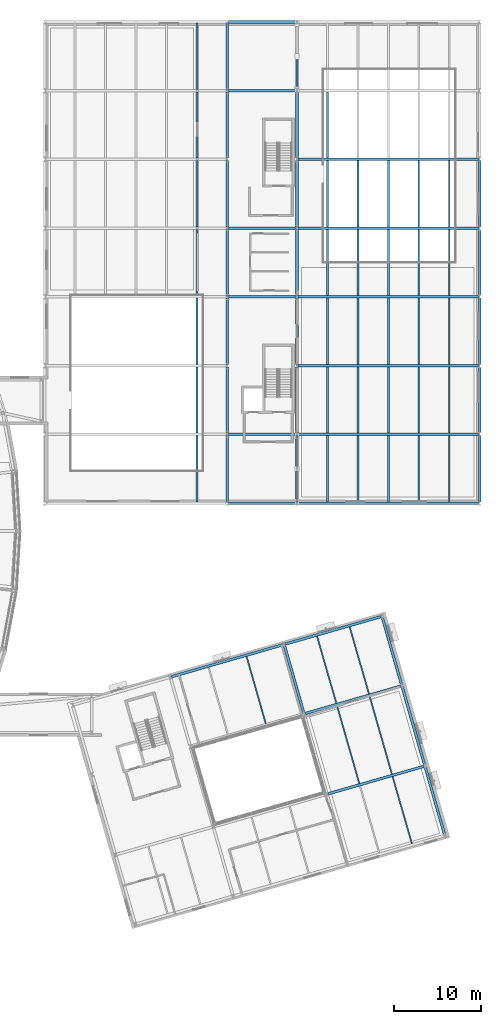
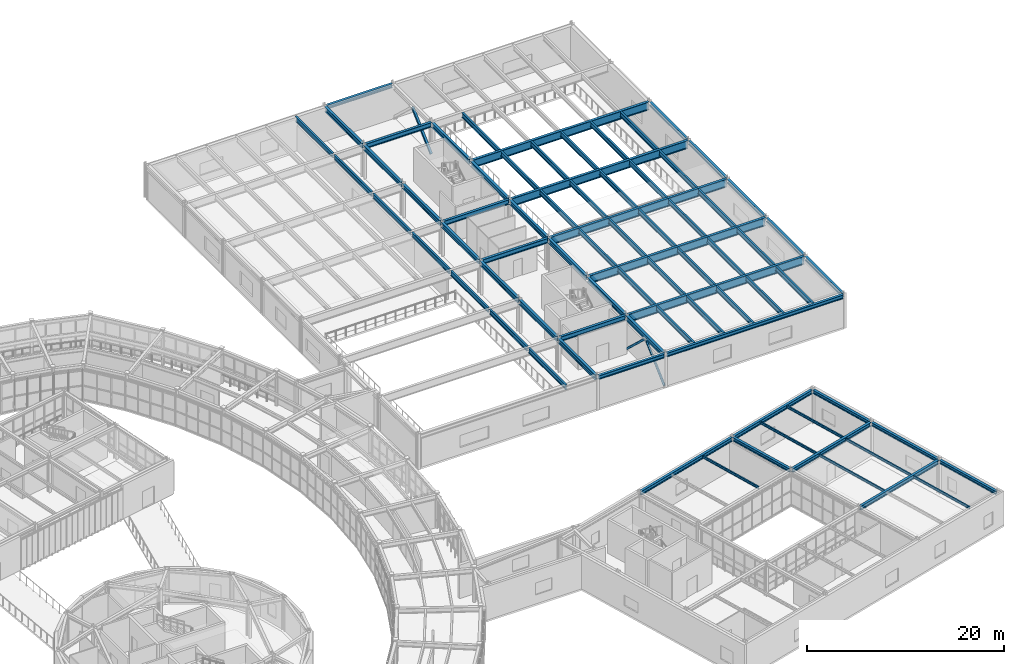
# One storey, part 54 of 103: 77 beams, 3 members.
"""IFC4 building model written with IfcOpenShell, lengths in metres."""

from ifc_helpers import new_model, si_unit, direction, frame, origin, origin_2d, place, context, subcontext, project, spatial, hollow_rectangle, hollow_circle, i_section, extrude, material, material_profile, profile_set, type_object, element, save


model = new_model("IFC4")

# Units and contexts
model_context = context("Model", 3, precision=1e-05, world=origin(), true_north=direction((0.0, 1.0)))
body_context = subcontext(model_context, "Body", "Model", "MODEL_VIEW")
ifc_project = project(units=[si_unit("LENGTHUNIT", "METRE"), si_unit("AREAUNIT", "SQUARE_METRE"), si_unit("VOLUMEUNIT", "CUBIC_METRE"), si_unit("PLANEANGLEUNIT", "RADIAN"), si_unit("MASSUNIT", "GRAM", prefix="KILO")], contexts=[model_context])

# Site, building, storey
site_placement = place(None, origin())
site = spatial("IfcSite", under=ifc_project, at=site_placement, CompositionType="ELEMENT")
building_placement = place(site_placement, origin())
building = spatial("IfcBuilding", under=site, at=building_placement, Name="Varnklinge Art Gallery", CompositionType="ELEMENT")
storey_placement = place(building_placement, frame((0.0, 0.0, 5.10009765625)))
storey = spatial("IfcBuildingStorey", under=building, at=storey_placement, Name="L01", CompositionType="ELEMENT", Elevation=5.10009765625)

# Beams
ifc_material_1 = material(Name="Steel S355", Category="steel")
ifc_material_profile_1 = material_profile(ifc_material_1, i_section(OverallWidth=0.300048828125, OverallDepth=1.0, WebThickness=0.01904296875, FlangeThickness=0.035888671875, FilletRadius=0.030029296875, at=origin_2d()), Name="HEB 1000")
ifc_profile_set_1 = profile_set([ifc_material_profile_1], Name="Steel S355")
beam_type_1 = type_object("IfcBeamType", Name="BM-01", PredefinedType="BEAM", material=ifc_profile_set_1)
for number, where, z_axis, x_axis, name in (
    (1, (143.5400390625, 66.10009765625, 3.669921875), (1.0, 0.0, 0.0), (0.0, 1.0, 0.0), "L01 BM-01 BM-V1-L02-X1-2"),
    (2, (143.5400390625, 74.0, 3.669921875), (1.0, 0.0, 0.0), (0.0, 1.0, 0.0), "L01 BM-01 BM-V1-L02-X2-2"),
    (3, (143.5400390625, 81.89990234375, 3.669921875), (1.0, 0.0, 0.0), (0.0, 1.0, 0.0), "L01 BM-01 BM-V1-L02-X3-2"),
    (4, (143.5400390625, 89.800048828125, 3.669921875), (1.0, 0.0, 0.0), (0.0, 1.0, 0.0), "L01 BM-01 BM-V1-L02-X4-2"),
    (5, (143.5400390625, 97.699951171875, 3.669921875), (1.0, 0.0, 0.0), (0.0, 1.0, 0.0), "L01 BM-01 BM-V1-L02-X5-2"),
):
    element("IfcBeam", number, at=place(storey_placement, frame(where, z_axis=z_axis, x_axis=x_axis)), inside=storey, type_object=beam_type_1, Name=name, PredefinedType="BEAM", context=body_context, shape_type="SweptSolid", body=[
        extrude(i_section(OverallWidth=0.300048828125, OverallDepth=1.0, WebThickness=0.01904296875, FlangeThickness=0.035888671875, FilletRadius=0.030029296875, at=origin_2d()), origin(), (0.0, 0.0, 1.0), 20.719970703125),
    ])
ifc_material_2 = material(Name="Steel S355", Category="steel")
ifc_material_profile_2 = material_profile(ifc_material_2, i_section(OverallWidth=0.300048828125, OverallDepth=0.60009765625, WebThickness=0.015380859375, FlangeThickness=0.030029296875, FilletRadius=0.027099609375, at=origin_2d()), Name="HEB 600")
ifc_profile_set_2 = profile_set([ifc_material_profile_2], Name="Steel S355")
beam_type_2 = type_object("IfcBeamType", Name="BM-05", PredefinedType="BEAM", material=ifc_profile_set_2)
beam_1_placement = place(storey_placement, frame((135.39990234375, 58.340087890625, 3.869873046875), z_axis=(0.0, 1.0, 0.0), x_axis=(-1.0, 0.0, 0.0)))
element("IfcBeam", 6, at=beam_1_placement, inside=storey, type_object=beam_type_2, Name="L01 BM-05 BM-V1-L02-Y1-0", PredefinedType="BEAM", context=body_context, shape_type="SweptSolid", body=[
    extrude(i_section(OverallWidth=0.300048828125, OverallDepth=0.60009765625, WebThickness=0.015380859375, FlangeThickness=0.030029296875, FilletRadius=0.027099609375, at=origin_2d()), origin(), (0.0, 0.0, 1.0), 7.619873046875),
])
for number, where, z_axis, x_axis, name in (
    (7, (135.39990234375, 66.239990234375, 3.869873046875), (0.0, 1.0, 0.0), (-1.0, 0.0, 0.0), "L01 BM-05 BM-V1-L02-Y1-1"),
    (8, (135.39990234375, 74.139892578125, 3.869873046875), (0.0, 1.0, 0.0), (-1.0, 0.0, 0.0), "L01 BM-05 BM-V1-L02-Y1-2"),
):
    element("IfcBeam", number, at=place(storey_placement, frame(where, z_axis=z_axis, x_axis=x_axis)), inside=storey, type_object=beam_type_2, Name=name, PredefinedType="BEAM", context=body_context, shape_type="SweptSolid", body=[
        extrude(i_section(OverallWidth=0.300048828125, OverallDepth=0.60009765625, WebThickness=0.015380859375, FlangeThickness=0.030029296875, FilletRadius=0.027099609375, at=origin_2d()), origin(), (0.0, 0.0, 1.0), 7.6201171875),
    ])
beam_2_placement = place(storey_placement, frame((135.39990234375, 82.0400390625, 3.869873046875), z_axis=(0.0, 1.0, 0.0), x_axis=(-1.0, 0.0, 0.0)))
element("IfcBeam", 9, at=beam_2_placement, inside=storey, type_object=beam_type_2, Name="L01 BM-05 BM-V1-L02-Y1-3", PredefinedType="BEAM", context=body_context, shape_type="SweptSolid", body=[
    extrude(i_section(OverallWidth=0.300048828125, OverallDepth=0.60009765625, WebThickness=0.015380859375, FlangeThickness=0.030029296875, FilletRadius=0.027099609375, at=origin_2d()), origin(), (0.0, 0.0, 1.0), 7.619873046875),
])
beam_3_placement = place(storey_placement, frame((135.39990234375, 89.93994140625, 3.869873046875), z_axis=(0.0, 1.0, 0.0), x_axis=(-1.0, 0.0, 0.0)))
element("IfcBeam", 10, at=beam_3_placement, inside=storey, type_object=beam_type_2, Name="L01 BM-05 BM-V1-L02-Y1-4", PredefinedType="BEAM", context=body_context, shape_type="SweptSolid", body=[
    extrude(i_section(OverallWidth=0.300048828125, OverallDepth=0.60009765625, WebThickness=0.015380859375, FlangeThickness=0.030029296875, FilletRadius=0.027099609375, at=origin_2d()), origin(), (0.0, 0.0, 1.0), 7.6201171875),
])
beam_4_placement = place(storey_placement, frame((135.39990234375, 97.840087890625, 3.869873046875), z_axis=(0.0, 1.0, 0.0), x_axis=(-1.0, 0.0, 0.0)))
element("IfcBeam", 11, at=beam_4_placement, inside=storey, type_object=beam_type_2, Name="L01 BM-05 BM-V1-L02-Y1-5", PredefinedType="BEAM", context=body_context, shape_type="SweptSolid", body=[
    extrude(i_section(OverallWidth=0.300048828125, OverallDepth=0.60009765625, WebThickness=0.015380859375, FlangeThickness=0.030029296875, FilletRadius=0.027099609375, at=origin_2d()), origin(), (0.0, 0.0, 1.0), 7.619873046875),
])
beam_5_placement = place(storey_placement, frame((135.39990234375, 105.739990234375, 3.869873046875), z_axis=(0.0, 1.0, 0.0), x_axis=(-1.0, 0.0, 0.0)))
element("IfcBeam", 12, at=beam_5_placement, inside=storey, type_object=beam_type_2, Name="L01 BM-05 BM-V1-L02-Y1-6", PredefinedType="BEAM", context=body_context, shape_type="SweptSolid", body=[
    extrude(i_section(OverallWidth=0.300048828125, OverallDepth=0.60009765625, WebThickness=0.015380859375, FlangeThickness=0.030029296875, FilletRadius=0.027099609375, at=origin_2d()), origin(), (0.0, 0.0, 1.0), 7.6201171875),
])
beam_6_placement = place(storey_placement, frame((143.39990234375, 58.340087890625, 3.869873046875), z_axis=(0.0, 1.0, 0.0), x_axis=(-1.0, 0.0, 0.0)))
element("IfcBeam", 13, at=beam_6_placement, inside=storey, type_object=beam_type_2, Name="L01 BM-05 BM-V1-L02-Y2-0", PredefinedType="BEAM", context=body_context, shape_type="SweptSolid", body=[
    extrude(i_section(OverallWidth=0.300048828125, OverallDepth=0.60009765625, WebThickness=0.015380859375, FlangeThickness=0.030029296875, FilletRadius=0.027099609375, at=origin_2d()), origin(), (0.0, 0.0, 1.0), 7.619873046875),
])
for number, where, z_axis, x_axis, name in (
    (14, (143.39990234375, 66.239990234375, 3.869873046875), (0.0, 1.0, 0.0), (-1.0, 0.0, 0.0), "L01 BM-05 BM-V1-L02-Y2-1"),
    (15, (143.39990234375, 74.139892578125, 3.869873046875), (0.0, 1.0, 0.0), (-1.0, 0.0, 0.0), "L01 BM-05 BM-V1-L02-Y2-2"),
):
    element("IfcBeam", number, at=place(storey_placement, frame(where, z_axis=z_axis, x_axis=x_axis)), inside=storey, type_object=beam_type_2, Name=name, PredefinedType="BEAM", context=body_context, shape_type="SweptSolid", body=[
        extrude(i_section(OverallWidth=0.300048828125, OverallDepth=0.60009765625, WebThickness=0.015380859375, FlangeThickness=0.030029296875, FilletRadius=0.027099609375, at=origin_2d()), origin(), (0.0, 0.0, 1.0), 7.6201171875),
    ])
beam_7_placement = place(storey_placement, frame((143.39990234375, 82.0400390625, 3.869873046875), z_axis=(0.0, 1.0, 0.0), x_axis=(-1.0, 0.0, 0.0)))
element("IfcBeam", 16, at=beam_7_placement, inside=storey, type_object=beam_type_2, Name="L01 BM-05 BM-V1-L02-Y2-3", PredefinedType="BEAM", context=body_context, shape_type="SweptSolid", body=[
    extrude(i_section(OverallWidth=0.300048828125, OverallDepth=0.60009765625, WebThickness=0.015380859375, FlangeThickness=0.030029296875, FilletRadius=0.027099609375, at=origin_2d()), origin(), (0.0, 0.0, 1.0), 7.619873046875),
])
beam_8_placement = place(storey_placement, frame((143.39990234375, 89.93994140625, 3.869873046875), z_axis=(0.0, 1.0, 0.0), x_axis=(-1.0, 0.0, 0.0)))
element("IfcBeam", 17, at=beam_8_placement, inside=storey, type_object=beam_type_2, Name="L01 BM-05 BM-V1-L02-Y2-4", PredefinedType="BEAM", context=body_context, shape_type="SweptSolid", body=[
    extrude(i_section(OverallWidth=0.300048828125, OverallDepth=0.60009765625, WebThickness=0.015380859375, FlangeThickness=0.030029296875, FilletRadius=0.027099609375, at=origin_2d()), origin(), (0.0, 0.0, 1.0), 7.6201171875),
])
beam_9_placement = place(storey_placement, frame((143.39990234375, 97.840087890625, 3.869873046875), z_axis=(0.0, 1.0, 0.0), x_axis=(-1.0, 0.0, 0.0)))
element("IfcBeam", 18, at=beam_9_placement, inside=storey, type_object=beam_type_2, Name="L01 BM-05 BM-V1-L02-Y2-5", PredefinedType="BEAM", context=body_context, shape_type="SweptSolid", body=[
    extrude(i_section(OverallWidth=0.300048828125, OverallDepth=0.60009765625, WebThickness=0.015380859375, FlangeThickness=0.030029296875, FilletRadius=0.027099609375, at=origin_2d()), origin(), (0.0, 0.0, 1.0), 7.619873046875),
])
ifc_material_3 = material(Name="Steel S355", Category="steel")
ifc_material_profile_3 = material_profile(ifc_material_3, i_section(OverallWidth=0.300048828125, OverallDepth=0.590087890625, WebThickness=0.012939453125, FlangeThickness=0.02490234375, FilletRadius=0.027099609375, at=origin_2d()), Name="HEA 600")
ifc_profile_set_3 = profile_set([ifc_material_profile_3], Name="Steel S355")
beam_type_3 = type_object("IfcBeamType", Name="BM-06", PredefinedType="BEAM", material=ifc_profile_set_3)
for number, where, z_axis, x_axis, name in (
    (19, (135.5400390625, 66.10009765625, 3.875), (1.0, 0.0, 0.0), (0.0, 1.0, 0.0), "L01 BM-06 BM-V1-L02-X1-1"),
    (20, (135.5400390625, 81.89990234375, 3.875), (1.0, 0.0, 0.0), (0.0, 1.0, 0.0), "L01 BM-06 BM-V1-L02-X3-1"),
    (21, (135.5400390625, 89.800048828125, 3.875), (1.0, 0.0, 0.0), (0.0, 1.0, 0.0), "L01 BM-06 BM-V1-L02-X4-1"),
    (22, (135.5400390625, 105.60009765625, 3.875), (1.0, 0.0, 0.0), (0.0, 1.0, 0.0), "L01 BM-06 BM-V1-L02-X6-1"),
):
    element("IfcBeam", number, at=place(storey_placement, frame(where, z_axis=z_axis, x_axis=x_axis)), inside=storey, type_object=beam_type_3, Name=name, PredefinedType="BEAM", context=body_context, shape_type="SweptSolid", body=[
        extrude(i_section(OverallWidth=0.300048828125, OverallDepth=0.590087890625, WebThickness=0.012939453125, FlangeThickness=0.02490234375, FilletRadius=0.027099609375, at=origin_2d()), origin(), (0.0, 0.0, 1.0), 7.719970703125),
    ])
ifc_material_4 = material(Name="Steel S355", Category="steel")
ifc_material_profile_4 = material_profile(ifc_material_4, i_section(OverallWidth=0.300048828125, OverallDepth=0.489990234375, WebThickness=0.011962890625, FlangeThickness=0.02294921875, FilletRadius=0.027099609375, at=origin_2d()), Name="HEA 500")
ifc_profile_set_4 = profile_set([ifc_material_profile_4], Name="Steel S355")
beam_type_4 = type_object("IfcBeamType", Name="BM-07", PredefinedType="BEAM", material=ifc_profile_set_4)
for number, where, z_axis, x_axis, name in (
    (23, (146.994140625, 24.798828125, 3.954833984375), (0.961262939416, 0.275633019257, 0.0), (-0.275633019257, 0.961262939416, 0.0), "L01 BM-07 BM-V6-L02-U1-2"),
    (24, (144.34814453125, 34.027099609375, 3.954833984375), (0.961262939416, 0.275633019257, 0.0), (-0.275633019257, 0.961262939416, 0.0), "L01 BM-07 BM-V6-L02-U2-2"),
):
    element("IfcBeam", number, at=place(storey_placement, frame(where, z_axis=z_axis, x_axis=x_axis)), inside=storey, type_object=beam_type_4, Name=name, PredefinedType="BEAM", context=body_context, shape_type="SweptSolid", body=[
        extrude(i_section(OverallWidth=0.300048828125, OverallDepth=0.489990234375, WebThickness=0.011962890625, FlangeThickness=0.02294921875, FilletRadius=0.027099609375, at=origin_2d()), origin(), (0.0, 0.0, 1.0), 11.419921875),
    ])
beam_10_placement = place(storey_placement, frame((128.9873046875, 38.2568359375, 3.954833984375), z_axis=(0.961262060229, 0.275636085381, 0.0), x_axis=(-0.275636085381, 0.961262060229, 0.0)))
element("IfcBeam", 25, at=beam_10_placement, inside=storey, type_object=beam_type_4, Name="L01 BM-07 BM-V6-L02-U3-1", PredefinedType="BEAM", context=body_context, shape_type="SweptSolid", body=[
    extrude(i_section(OverallWidth=0.300048828125, OverallDepth=0.489990234375, WebThickness=0.011962890625, FlangeThickness=0.02294921875, FilletRadius=0.027099609375, at=origin_2d()), origin(), (0.0, 0.0, 1.0), 13.319580078125),
])
beam_11_placement = place(storey_placement, frame((142.060302734375, 42.005615234375, 3.954833984375), z_axis=(0.961262939416, 0.275633019257, 0.0), x_axis=(-0.275633019257, 0.961262939416, 0.0)))
element("IfcBeam", 26, at=beam_11_placement, inside=storey, type_object=beam_type_4, Name="L01 BM-07 BM-V6-L02-U3-2", PredefinedType="BEAM", context=body_context, shape_type="SweptSolid", body=[
    extrude(i_section(OverallWidth=0.300048828125, OverallDepth=0.489990234375, WebThickness=0.011962890625, FlangeThickness=0.02294921875, FilletRadius=0.027099609375, at=origin_2d()), origin(), (0.0, 0.0, 1.0), 11.419921875),
])
ifc_material_5 = material(Name="Steel S355", Category="steel")
ifc_material_profile_5 = material_profile(ifc_material_5, i_section(OverallWidth=0.300048828125, OverallDepth=0.43994140625, WebThickness=0.011474609375, FlangeThickness=0.02099609375, FilletRadius=0.027099609375, at=origin_2d()), Name="HEA 450")
ifc_profile_set_5 = profile_set([ifc_material_profile_5], Name="Steel S355")
beam_type_5 = type_object("IfcBeamType", Name="BM-08", PredefinedType="BEAM", material=ifc_profile_set_5)
beam_12_placement = place(storey_placement, frame((144.1748046875, 34.123046875, 3.97998046875), z_axis=(-0.275621630307, 0.961266205016, 0.0), x_axis=(-0.961266205016, -0.275621630307, 0.0)))
element("IfcBeam", 27, at=beam_12_placement, inside=storey, type_object=beam_type_5, Name="L01 BM-08 BM-V6-L02-V2-2", PredefinedType="BEAM", context=body_context, shape_type="SweptSolid", body=[
    extrude(i_section(OverallWidth=0.300048828125, OverallDepth=0.43994140625, WebThickness=0.011474609375, FlangeThickness=0.02099609375, FilletRadius=0.027099609375, at=origin_2d()), origin(), (0.0, 0.0, 1.0), 8.019775390625),
])
beam_13_placement = place(storey_placement, frame((160.355712890625, 20.141357421875, 3.97998046875), z_axis=(-0.275649759333, 0.961258139201, 0.0), x_axis=(-0.961258139201, -0.275649759333, 0.0)))
element("IfcBeam", 28, at=beam_13_placement, inside=storey, type_object=beam_type_5, Name="L01 BM-08 BM-V6-L02-V3-0", PredefinedType="BEAM", context=body_context, shape_type="SweptSolid", body=[
    extrude(i_section(OverallWidth=0.300048828125, OverallDepth=0.43994140625, WebThickness=0.011474609375, FlangeThickness=0.02099609375, FilletRadius=0.027099609375, at=origin_2d()), origin(), (0.0, 0.0, 1.0), 8.02001953125),
])
beam_14_placement = place(storey_placement, frame((158.06787109375, 28.119873046875, 3.97998046875), z_axis=(-0.275658609922, 0.961255601168, 0.0), x_axis=(-0.961255601168, -0.275658609922, 0.0)))
element("IfcBeam", 29, at=beam_14_placement, inside=storey, type_object=beam_type_5, Name="L01 BM-08 BM-V6-L02-V3-1", PredefinedType="BEAM", context=body_context, shape_type="SweptSolid", body=[
    extrude(i_section(OverallWidth=0.300048828125, OverallDepth=0.43994140625, WebThickness=0.011474609375, FlangeThickness=0.02099609375, FilletRadius=0.027099609375, at=origin_2d()), origin(), (0.0, 0.0, 1.0), 9.31982421875),
])
beam_15_placement = place(storey_placement, frame((155.421630859375, 37.347900390625, 3.97998046875), z_axis=(-0.275621630307, 0.961266205016, 0.0), x_axis=(-0.961266205016, -0.275621630307, 0.0)))
element("IfcBeam", 30, at=beam_15_placement, inside=storey, type_object=beam_type_5, Name="L01 BM-08 BM-V6-L02-V3-2", PredefinedType="BEAM", context=body_context, shape_type="SweptSolid", body=[
    extrude(i_section(OverallWidth=0.300048828125, OverallDepth=0.43994140625, WebThickness=0.011474609375, FlangeThickness=0.02099609375, FilletRadius=0.027099609375, at=origin_2d()), origin(), (0.0, 0.0, 1.0), 8.019775390625),
])

# Members
ifc_material_6 = material(Name="Steel S355", Category="steel")
ifc_material_profile_6 = material_profile(ifc_material_6, hollow_circle(Radius=0.136474609375, WallThickness=0.012451171875, at=origin_2d()), Name="CHS 273x12.5")
ifc_profile_set_6 = profile_set([ifc_material_profile_6], Name="Steel S355")
member_type_1 = type_object("IfcMemberType", Name="BRC-01", PredefinedType="BRACE", material=ifc_profile_set_6)
member_1_placement = place(storey_placement, frame((143.39990234375, 58.360107421875, 0.02001953125), z_axis=(0.0, 0.729837707187, 0.683620451105), x_axis=(-1.0, 0.0, 0.0)))
element("IfcMember", 31, at=member_1_placement, inside=storey, type_object=member_type_1, Name="L01 Braced Frame V1E-B0 Diagonal A", PredefinedType="BRACE", context=body_context, shape_type="SweptSolid", body=[
    extrude(hollow_circle(Radius=0.136474609375, WallThickness=0.012451171875, at=origin_2d()), origin(), (0.0, 0.0, 1.0), 5.192626953125),
])
member_2_placement = place(storey_placement, frame((143.39990234375, 65.93994140625, 0.02001953125), z_axis=(0.0, -0.72985967862, 0.683596993502), x_axis=(1.0, 0.0, 0.0)))
element("IfcMember", 32, at=member_2_placement, inside=storey, type_object=member_type_1, Name="L01 Braced Frame V1E-B0 Diagonal B", PredefinedType="BRACE", context=body_context, shape_type="SweptSolid", body=[
    extrude(hollow_circle(Radius=0.136474609375, WallThickness=0.012451171875, at=origin_2d()), origin(), (0.0, 0.0, 1.0), 5.19287109375),
])
ifc_material_7 = material(Name="Steel S355", Category="steel")
ifc_material_profile_7 = material_profile(ifc_material_7, hollow_rectangle(XDim=0.25, YDim=0.25, WallThickness=0.012451171875, at=origin_2d()), Name="SHS 250x250x12.5")
ifc_profile_set_7 = profile_set([ifc_material_profile_7], Name="Steel S355")
member_type_2 = type_object("IfcMemberType", Name="BRC-04", PredefinedType="BRACE", material=ifc_profile_set_7)
member_3_placement = place(storey_placement, frame((143.39990234375, 105.760009765625, 0.02001953125), z_axis=(0.0, 0.72985967862, 0.683596993502), x_axis=(-1.0, 0.0, 0.0)))
element("IfcMember", 33, at=member_3_placement, inside=storey, type_object=member_type_2, Name="L01 Braced Frame V1E-B6 Diagonal A", PredefinedType="BRACE", context=body_context, shape_type="SweptSolid", body=[
    extrude(hollow_rectangle(XDim=0.25, YDim=0.25, WallThickness=0.012451171875, at=origin_2d()), origin(), (0.0, 0.0, 1.0), 5.19287109375),
])

# Beams
ifc_material_8 = material(Name="Steel S355", Category="steel")
ifc_material_profile_8 = material_profile(ifc_material_8, i_section(OverallWidth=0.219970703125, OverallDepth=0.60009765625, WebThickness=0.011962890625, FlangeThickness=0.01904296875, FilletRadius=0.02392578125, at=origin_2d()), Name="IPE 600")
ifc_profile_set_8 = profile_set([ifc_material_profile_8], Name="Steel S355")
beam_type_6 = type_object("IfcBeamType", Name="JST-01", PredefinedType="JOIST", material=ifc_profile_set_8)
for number, where, z_axis, x_axis, name in (
    (34, (131.89990234375, 58.340087890625, 3.869873046875), (0.0, 1.0, 0.0), (-1.0, 0.0, 0.0), "L01 JST-01 JST-V1-L02-0-0-5"),
    (35, (146.89990234375, 58.340087890625, 3.869873046875), (0.0, 1.0, 0.0), (-1.0, 0.0, 0.0), "L01 JST-01 JST-V1-L02-0-1-1"),
    (36, (150.39990234375, 58.340087890625, 3.869873046875), (0.0, 1.0, 0.0), (-1.0, 0.0, 0.0), "L01 JST-01 JST-V1-L02-0-1-2"),
    (37, (153.89990234375, 58.340087890625, 3.869873046875), (0.0, 1.0, 0.0), (-1.0, 0.0, 0.0), "L01 JST-01 JST-V1-L02-0-1-3"),
    (38, (157.39990234375, 58.340087890625, 3.869873046875), (0.0, 1.0, 0.0), (-1.0, 0.0, 0.0), "L01 JST-01 JST-V1-L02-0-1-4"),
    (39, (160.89990234375, 58.340087890625, 3.869873046875), (0.0, 1.0, 0.0), (-1.0, 0.0, 0.0), "L01 JST-01 JST-V1-L02-0-1-5"),
):
    element("IfcBeam", number, at=place(storey_placement, frame(where, z_axis=z_axis, x_axis=x_axis)), inside=storey, type_object=beam_type_6, Name=name, PredefinedType="JOIST", context=body_context, shape_type="SweptSolid", body=[
        extrude(i_section(OverallWidth=0.219970703125, OverallDepth=0.60009765625, WebThickness=0.011962890625, FlangeThickness=0.01904296875, FilletRadius=0.02392578125, at=origin_2d()), origin(), (0.0, 0.0, 1.0), 7.619873046875),
    ])
for number, where, z_axis, x_axis, name in (
    (40, (131.89990234375, 66.239990234375, 3.869873046875), (0.0, 1.0, 0.0), (-1.0, 0.0, 0.0), "L01 JST-01 JST-V1-L02-1-0-5"),
    (41, (146.89990234375, 66.239990234375, 3.869873046875), (0.0, 1.0, 0.0), (-1.0, 0.0, 0.0), "L01 JST-01 JST-V1-L02-1-1-1"),
    (42, (150.39990234375, 66.239990234375, 3.869873046875), (0.0, 1.0, 0.0), (-1.0, 0.0, 0.0), "L01 JST-01 JST-V1-L02-1-1-2"),
    (43, (153.89990234375, 66.239990234375, 3.869873046875), (0.0, 1.0, 0.0), (-1.0, 0.0, 0.0), "L01 JST-01 JST-V1-L02-1-1-3"),
    (44, (157.39990234375, 66.239990234375, 3.869873046875), (0.0, 1.0, 0.0), (-1.0, 0.0, 0.0), "L01 JST-01 JST-V1-L02-1-1-4"),
    (45, (160.89990234375, 66.239990234375, 3.869873046875), (0.0, 1.0, 0.0), (-1.0, 0.0, 0.0), "L01 JST-01 JST-V1-L02-1-1-5"),
    (46, (131.89990234375, 74.139892578125, 3.869873046875), (0.0, 1.0, 0.0), (-1.0, 0.0, 0.0), "L01 JST-01 JST-V1-L02-2-0-5"),
    (47, (146.89990234375, 74.139892578125, 3.869873046875), (0.0, 1.0, 0.0), (-1.0, 0.0, 0.0), "L01 JST-01 JST-V1-L02-2-1-1"),
    (48, (150.39990234375, 74.139892578125, 3.869873046875), (0.0, 1.0, 0.0), (-1.0, 0.0, 0.0), "L01 JST-01 JST-V1-L02-2-1-2"),
    (49, (153.89990234375, 74.139892578125, 3.869873046875), (0.0, 1.0, 0.0), (-1.0, 0.0, 0.0), "L01 JST-01 JST-V1-L02-2-1-3"),
    (50, (157.39990234375, 74.139892578125, 3.869873046875), (0.0, 1.0, 0.0), (-1.0, 0.0, 0.0), "L01 JST-01 JST-V1-L02-2-1-4"),
    (51, (160.89990234375, 74.139892578125, 3.869873046875), (0.0, 1.0, 0.0), (-1.0, 0.0, 0.0), "L01 JST-01 JST-V1-L02-2-1-5"),
):
    element("IfcBeam", number, at=place(storey_placement, frame(where, z_axis=z_axis, x_axis=x_axis)), inside=storey, type_object=beam_type_6, Name=name, PredefinedType="JOIST", context=body_context, shape_type="SweptSolid", body=[
        extrude(i_section(OverallWidth=0.219970703125, OverallDepth=0.60009765625, WebThickness=0.011962890625, FlangeThickness=0.01904296875, FilletRadius=0.02392578125, at=origin_2d()), origin(), (0.0, 0.0, 1.0), 7.6201171875),
    ])
for number, where, z_axis, x_axis, name in (
    (52, (131.89990234375, 82.0400390625, 3.869873046875), (0.0, 1.0, 0.0), (-1.0, 0.0, 0.0), "L01 JST-01 JST-V1-L02-3-0-5"),
    (53, (146.89990234375, 82.0400390625, 3.869873046875), (0.0, 1.0, 0.0), (-1.0, 0.0, 0.0), "L01 JST-01 JST-V1-L02-3-1-1"),
    (54, (150.39990234375, 82.0400390625, 3.869873046875), (0.0, 1.0, 0.0), (-1.0, 0.0, 0.0), "L01 JST-01 JST-V1-L02-3-1-2"),
    (55, (153.89990234375, 82.0400390625, 3.869873046875), (0.0, 1.0, 0.0), (-1.0, 0.0, 0.0), "L01 JST-01 JST-V1-L02-3-1-3"),
    (56, (157.39990234375, 82.0400390625, 3.869873046875), (0.0, 1.0, 0.0), (-1.0, 0.0, 0.0), "L01 JST-01 JST-V1-L02-3-1-4"),
    (57, (160.89990234375, 82.0400390625, 3.869873046875), (0.0, 1.0, 0.0), (-1.0, 0.0, 0.0), "L01 JST-01 JST-V1-L02-3-1-5"),
):
    element("IfcBeam", number, at=place(storey_placement, frame(where, z_axis=z_axis, x_axis=x_axis)), inside=storey, type_object=beam_type_6, Name=name, PredefinedType="JOIST", context=body_context, shape_type="SweptSolid", body=[
        extrude(i_section(OverallWidth=0.219970703125, OverallDepth=0.60009765625, WebThickness=0.011962890625, FlangeThickness=0.01904296875, FilletRadius=0.02392578125, at=origin_2d()), origin(), (0.0, 0.0, 1.0), 7.619873046875),
    ])
for number, where, z_axis, x_axis, name in (
    (58, (131.89990234375, 89.93994140625, 3.869873046875), (0.0, 1.0, 0.0), (-1.0, 0.0, 0.0), "L01 JST-01 JST-V1-L02-4-0-5"),
    (59, (146.89990234375, 89.93994140625, 3.869873046875), (0.0, 1.0, 0.0), (-1.0, 0.0, 0.0), "L01 JST-01 JST-V1-L02-4-1-1"),
    (60, (150.39990234375, 89.93994140625, 3.869873046875), (0.0, 1.0, 0.0), (-1.0, 0.0, 0.0), "L01 JST-01 JST-V1-L02-4-1-2"),
    (61, (153.89990234375, 89.93994140625, 3.869873046875), (0.0, 1.0, 0.0), (-1.0, 0.0, 0.0), "L01 JST-01 JST-V1-L02-4-1-3"),
    (62, (157.39990234375, 89.93994140625, 3.869873046875), (0.0, 1.0, 0.0), (-1.0, 0.0, 0.0), "L01 JST-01 JST-V1-L02-4-1-4"),
    (63, (160.89990234375, 89.93994140625, 3.869873046875), (0.0, 1.0, 0.0), (-1.0, 0.0, 0.0), "L01 JST-01 JST-V1-L02-4-1-5"),
):
    element("IfcBeam", number, at=place(storey_placement, frame(where, z_axis=z_axis, x_axis=x_axis)), inside=storey, type_object=beam_type_6, Name=name, PredefinedType="JOIST", context=body_context, shape_type="SweptSolid", body=[
        extrude(i_section(OverallWidth=0.219970703125, OverallDepth=0.60009765625, WebThickness=0.011962890625, FlangeThickness=0.01904296875, FilletRadius=0.02392578125, at=origin_2d()), origin(), (0.0, 0.0, 1.0), 7.6201171875),
    ])
for number, where, z_axis, x_axis, name in (
    (64, (131.89990234375, 97.840087890625, 3.869873046875), (0.0, 1.0, 0.0), (-1.0, 0.0, 0.0), "L01 JST-01 JST-V1-L02-5-0-5"),
    (65, (146.89990234375, 97.840087890625, 3.869873046875), (0.0, 1.0, 0.0), (-1.0, 0.0, 0.0), "L01 JST-01 JST-V1-L02-5-1-1"),
):
    element("IfcBeam", number, at=place(storey_placement, frame(where, z_axis=z_axis, x_axis=x_axis)), inside=storey, type_object=beam_type_6, Name=name, PredefinedType="JOIST", context=body_context, shape_type="SweptSolid", body=[
        extrude(i_section(OverallWidth=0.219970703125, OverallDepth=0.60009765625, WebThickness=0.011962890625, FlangeThickness=0.01904296875, FilletRadius=0.02392578125, at=origin_2d()), origin(), (0.0, 0.0, 1.0), 7.619873046875),
    ])
beam_16_placement = place(storey_placement, frame((131.89990234375, 105.739990234375, 3.869873046875), z_axis=(0.0, 1.0, 0.0), x_axis=(-1.0, 0.0, 0.0)))
element("IfcBeam", 66, at=beam_16_placement, inside=storey, type_object=beam_type_6, Name="L01 JST-01 JST-V1-L02-6-0-5", PredefinedType="JOIST", context=body_context, shape_type="SweptSolid", body=[
    extrude(i_section(OverallWidth=0.219970703125, OverallDepth=0.60009765625, WebThickness=0.011962890625, FlangeThickness=0.01904296875, FilletRadius=0.02392578125, at=origin_2d()), origin(), (0.0, 0.0, 1.0), 7.6201171875),
])
ifc_material_9 = material(Name="Steel S355", Category="steel")
ifc_material_profile_9 = material_profile(ifc_material_9, i_section(OverallWidth=0.14990234375, OverallDepth=0.300048828125, WebThickness=0.007080078125, FlangeThickness=0.0107421875, FilletRadius=0.014892578125, at=origin_2d()), Name="IPE 300")
ifc_profile_set_9 = profile_set([ifc_material_profile_9], Name="Steel S355")
beam_type_7 = type_object("IfcBeamType", Name="JST-08", PredefinedType="JOIST", material=ifc_profile_set_9)
for number, where, z_axis, x_axis, name in (
    (67, (139.817138671875, 32.873291015625, 4.0498046875), (-0.275613565062, 0.961268517509, 0.0), (-0.961268517509, -0.275613565062, 0.0), "L01 JST-08 JST-V6-L02-1-2-2"),
    (68, (156.606689453125, 19.06640625, 4.0498046875), (-0.275649759333, 0.961258139201, 0.0), (-0.961258139201, -0.275649759333, 0.0), "L01 JST-08 JST-V6-L02-2-0-2"),
):
    element("IfcBeam", number, at=place(storey_placement, frame(where, z_axis=z_axis, x_axis=x_axis)), inside=storey, type_object=beam_type_7, Name=name, PredefinedType="JOIST", context=body_context, shape_type="SweptSolid", body=[
        extrude(i_section(OverallWidth=0.14990234375, OverallDepth=0.300048828125, WebThickness=0.007080078125, FlangeThickness=0.0107421875, FilletRadius=0.014892578125, at=origin_2d()), origin(), (0.0, 0.0, 1.0), 8.02001953125),
    ])
for number, where, z_axis, x_axis, name in (
    (69, (150.56982421875, 25.9697265625, 4.0498046875), (-0.27562746375, 0.961264532388, 0.0), (-0.961264532388, -0.27562746375, 0.0), "L01 JST-08 JST-V6-L02-2-1-1"),
    (70, (154.31884765625, 27.044921875, 4.0498046875), (-0.27562746375, 0.961264532388, 0.0), (-0.961264532388, -0.27562746375, 0.0), "L01 JST-08 JST-V6-L02-2-1-2"),
):
    element("IfcBeam", number, at=place(storey_placement, frame(where, z_axis=z_axis, x_axis=x_axis)), inside=storey, type_object=beam_type_7, Name=name, PredefinedType="JOIST", context=body_context, shape_type="SweptSolid", body=[
        extrude(i_section(OverallWidth=0.14990234375, OverallDepth=0.300048828125, WebThickness=0.007080078125, FlangeThickness=0.0107421875, FilletRadius=0.014892578125, at=origin_2d()), origin(), (0.0, 0.0, 1.0), 9.320068359375),
    ])
beam_17_placement = place(storey_placement, frame((147.923828125, 35.197998046875, 4.0498046875), z_axis=(-0.275649759333, 0.961258139201, 0.0), x_axis=(-0.961258139201, -0.275649759333, 0.0)))
element("IfcBeam", 71, at=beam_17_placement, inside=storey, type_object=beam_type_7, Name="L01 JST-08 JST-V6-L02-2-2-1", PredefinedType="JOIST", context=body_context, shape_type="SweptSolid", body=[
    extrude(i_section(OverallWidth=0.14990234375, OverallDepth=0.300048828125, WebThickness=0.007080078125, FlangeThickness=0.0107421875, FilletRadius=0.014892578125, at=origin_2d()), origin(), (0.0, 0.0, 1.0), 8.02001953125),
])
beam_18_placement = place(storey_placement, frame((151.6728515625, 36.27294921875, 4.0498046875), z_axis=(-0.2756416934, 0.961260452146, 0.0), x_axis=(-0.961260452146, -0.2756416934, 0.0)))
element("IfcBeam", 72, at=beam_18_placement, inside=storey, type_object=beam_type_7, Name="L01 JST-08 JST-V6-L02-2-2-2", PredefinedType="JOIST", context=body_context, shape_type="SweptSolid", body=[
    extrude(i_section(OverallWidth=0.14990234375, OverallDepth=0.300048828125, WebThickness=0.007080078125, FlangeThickness=0.0107421875, FilletRadius=0.014892578125, at=origin_2d()), origin(), (0.0, 0.0, 1.0), 8.020263671875),
])
ifc_material_10 = material(Name="Steel S355", Category="steel")
ifc_material_profile_10 = material_profile(ifc_material_10, i_section(OverallWidth=0.300048828125, OverallDepth=0.489990234375, WebThickness=0.011962890625, FlangeThickness=0.02294921875, FilletRadius=0.027099609375, at=origin_2d()), Name="HEA 500")
ifc_profile_set_10 = profile_set([ifc_material_profile_10], Name="Steel S355")
beam_type_8 = type_object("IfcBeamType", Name="SPB-01", PredefinedType="SPANDREL", material=ifc_profile_set_10)
beam_19_placement = place(storey_placement, frame((135.5400390625, 58.199951171875, 3.9248046875), z_axis=(1.0, 0.0, 0.0), x_axis=(0.0, 1.0, 0.0)))
element("IfcBeam", 73, at=beam_19_placement, inside=storey, type_object=beam_type_8, Name="L01 SPB-01 BM-V1-L02-X0-1", PredefinedType="SPANDREL", context=body_context, shape_type="SweptSolid", body=[
    extrude(i_section(OverallWidth=0.300048828125, OverallDepth=0.489990234375, WebThickness=0.011962890625, FlangeThickness=0.02294921875, FilletRadius=0.027099609375, at=origin_2d()), origin(), (0.0, 0.0, 1.0), 7.719970703125),
])
beam_20_placement = place(storey_placement, frame((143.5400390625, 58.199951171875, 3.9248046875), z_axis=(1.0, 0.0, 0.0), x_axis=(0.0, 1.0, 0.0)))
element("IfcBeam", 74, at=beam_20_placement, inside=storey, type_object=beam_type_8, Name="L01 SPB-01 BM-V1-L02-X0-2", PredefinedType="SPANDREL", context=body_context, shape_type="SweptSolid", body=[
    extrude(i_section(OverallWidth=0.300048828125, OverallDepth=0.489990234375, WebThickness=0.011962890625, FlangeThickness=0.02294921875, FilletRadius=0.027099609375, at=origin_2d()), origin(), (0.0, 0.0, 1.0), 20.719970703125),
])
beam_21_placement = place(storey_placement, frame((135.5400390625, 113.5, 3.9248046875), z_axis=(1.0, 0.0, 0.0), x_axis=(0.0, 1.0, 0.0)))
element("IfcBeam", 75, at=beam_21_placement, inside=storey, type_object=beam_type_8, Name="L01 SPB-01 BM-V1-L02-X7-1", PredefinedType="SPANDREL", context=body_context, shape_type="SweptSolid", body=[
    extrude(i_section(OverallWidth=0.300048828125, OverallDepth=0.489990234375, WebThickness=0.011962890625, FlangeThickness=0.02294921875, FilletRadius=0.027099609375, at=origin_2d()), origin(), (0.0, 0.0, 1.0), 7.719970703125),
])
beam_22_placement = place(storey_placement, frame((164.39990234375, 58.340087890625, 3.9248046875), z_axis=(0.0, 1.0, 0.0), x_axis=(-1.0, 0.0, 0.0)))
element("IfcBeam", 76, at=beam_22_placement, inside=storey, type_object=beam_type_8, Name="L01 SPB-01 BM-V1-L02-Y3-0", PredefinedType="SPANDREL", context=body_context, shape_type="SweptSolid", body=[
    extrude(i_section(OverallWidth=0.300048828125, OverallDepth=0.489990234375, WebThickness=0.011962890625, FlangeThickness=0.02294921875, FilletRadius=0.027099609375, at=origin_2d()), origin(), (0.0, 0.0, 1.0), 7.619873046875),
])
for number, where, z_axis, x_axis, name in (
    (77, (164.39990234375, 66.239990234375, 3.9248046875), (0.0, 1.0, 0.0), (-1.0, 0.0, 0.0), "L01 SPB-01 BM-V1-L02-Y3-1"),
    (78, (164.39990234375, 74.139892578125, 3.9248046875), (0.0, 1.0, 0.0), (-1.0, 0.0, 0.0), "L01 SPB-01 BM-V1-L02-Y3-2"),
):
    element("IfcBeam", number, at=place(storey_placement, frame(where, z_axis=z_axis, x_axis=x_axis)), inside=storey, type_object=beam_type_8, Name=name, PredefinedType="SPANDREL", context=body_context, shape_type="SweptSolid", body=[
        extrude(i_section(OverallWidth=0.300048828125, OverallDepth=0.489990234375, WebThickness=0.011962890625, FlangeThickness=0.02294921875, FilletRadius=0.027099609375, at=origin_2d()), origin(), (0.0, 0.0, 1.0), 7.6201171875),
    ])
beam_23_placement = place(storey_placement, frame((164.39990234375, 82.0400390625, 3.9248046875), z_axis=(0.0, 1.0, 0.0), x_axis=(-1.0, 0.0, 0.0)))
element("IfcBeam", 79, at=beam_23_placement, inside=storey, type_object=beam_type_8, Name="L01 SPB-01 BM-V1-L02-Y3-3", PredefinedType="SPANDREL", context=body_context, shape_type="SweptSolid", body=[
    extrude(i_section(OverallWidth=0.300048828125, OverallDepth=0.489990234375, WebThickness=0.011962890625, FlangeThickness=0.02294921875, FilletRadius=0.027099609375, at=origin_2d()), origin(), (0.0, 0.0, 1.0), 7.619873046875),
])
beam_24_placement = place(storey_placement, frame((164.39990234375, 89.93994140625, 3.9248046875), z_axis=(0.0, 1.0, 0.0), x_axis=(-1.0, 0.0, 0.0)))
element("IfcBeam", 80, at=beam_24_placement, inside=storey, type_object=beam_type_8, Name="L01 SPB-01 BM-V1-L02-Y3-4", PredefinedType="SPANDREL", context=body_context, shape_type="SweptSolid", body=[
    extrude(i_section(OverallWidth=0.300048828125, OverallDepth=0.489990234375, WebThickness=0.011962890625, FlangeThickness=0.02294921875, FilletRadius=0.027099609375, at=origin_2d()), origin(), (0.0, 0.0, 1.0), 7.6201171875),
])

save(model, "model.ifc")
